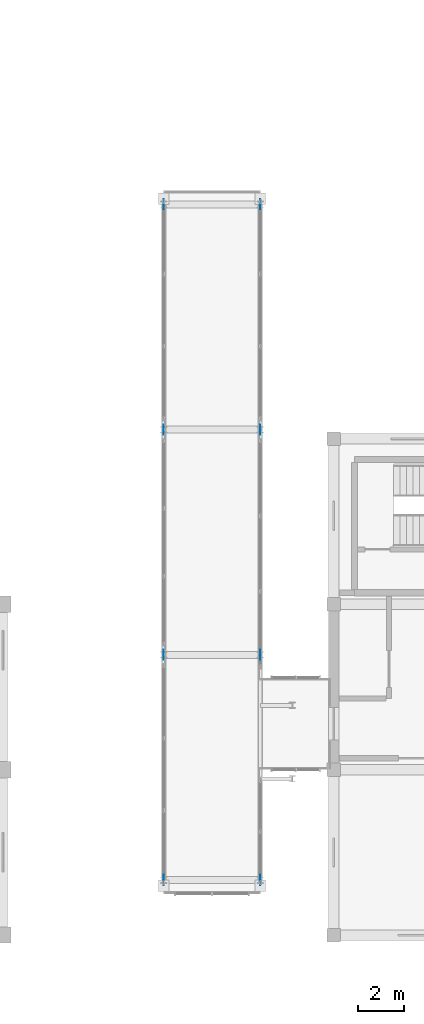
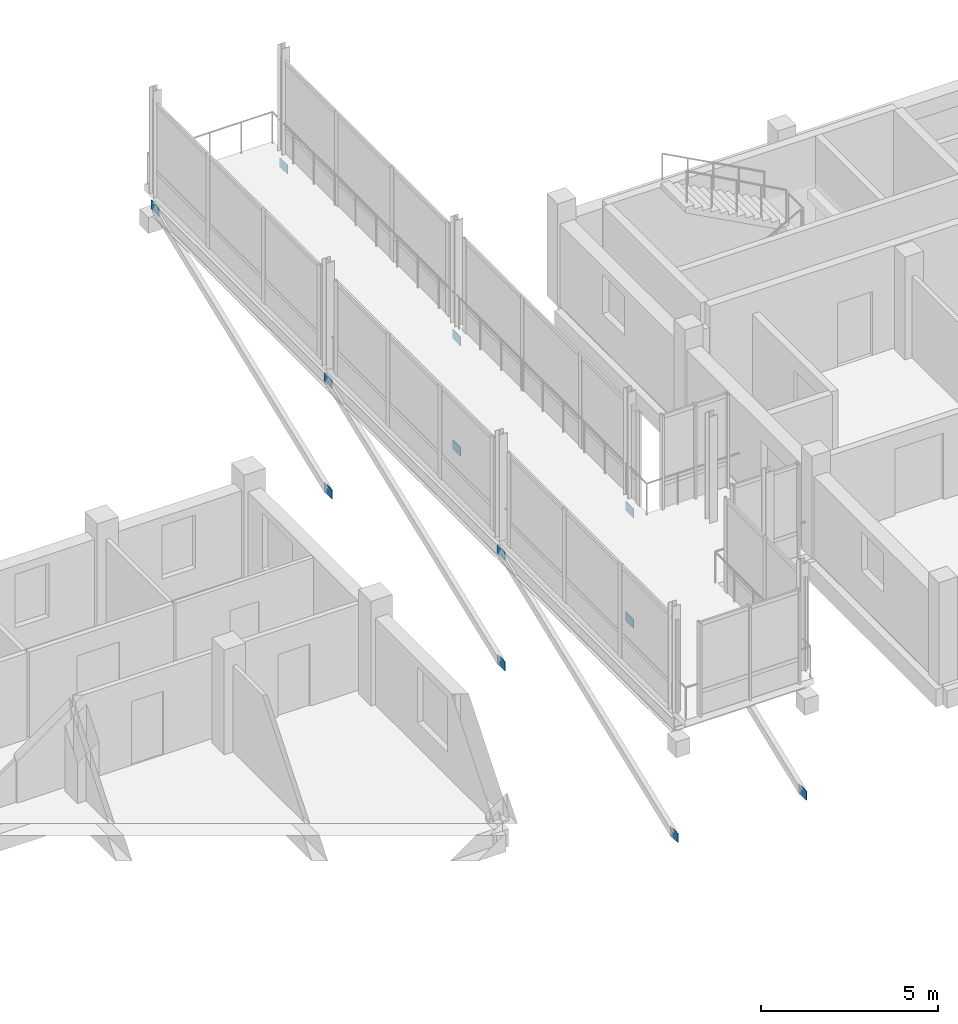
# One storey, part 105 of 128: 12 plates.
"""IFC4 building model written with IfcOpenShell, lengths in metres."""

from ifc_helpers import new_model, si_unit, direction, frame, origin, origin_2d, place, context, subcontext, project, spatial, rectangle, extrude, material, layer, layer_set, type_object, element, save


model = new_model("IFC4")

# Units and contexts
model_context = context("Model", 3, precision=1e-05, world=origin(), true_north=direction((0.0, 1.0)))
body_context = subcontext(model_context, "Body", "Model", "MODEL_VIEW")
ifc_project = project(units=[si_unit("LENGTHUNIT", "METRE"), si_unit("AREAUNIT", "SQUARE_METRE"), si_unit("VOLUMEUNIT", "CUBIC_METRE"), si_unit("PLANEANGLEUNIT", "RADIAN"), si_unit("MASSUNIT", "GRAM", prefix="KILO")], contexts=[model_context])

# Site, building, storey
site_placement = place(None, origin())
site = spatial("IfcSite", under=ifc_project, at=site_placement, CompositionType="ELEMENT")
building_placement = place(site_placement, origin())
building = spatial("IfcBuilding", under=site, at=building_placement, Name="Zornivar Specialist Clinic", CompositionType="ELEMENT")
storey_placement = place(building_placement, frame((0.0, 0.0, 4.5)))
storey = spatial("IfcBuildingStorey", under=building, at=storey_placement, Name="L01", CompositionType="ELEMENT", Elevation=4.5)

# Plates
ifc_material = material(Name="Steel S355J2", Category="steel")
ifc_layer = layer(ifc_material, 0.01806640625)
ifc_layer_set = layer_set([ifc_layer], Name="Steel S355J2")
plate_type = type_object("IfcPlateType", Name="PL-GUSSET-V4-18", PredefinedType="USERDEFINED", material=ifc_layer_set)
for number, where, z_axis, x_axis, name in (
    (1, (50.199951171875, 2.39990234375, -4.4599609375), (0.0, 0.0, 1.0), (0.0, 1.0, 0.0), "plate:bnode:L01:014"),
    (2, (50.199951171875, 12.199951171875, -0.64013671875), (0.0, 0.0, 1.0), (0.0, 1.0, 0.0), "plate:bnode:L01:015"),
    (3, (54.39990234375, 2.39990234375, -4.4599609375), (0.0, 0.0, 1.0), (0.0, 1.0, 0.0), "plate:bnode:L01:016"),
    (4, (54.39990234375, 12.199951171875, -0.64013671875), (0.0, 0.0, 1.0), (0.0, 1.0, 0.0), "plate:bnode:L01:017"),
    (5, (50.199951171875, 12.199951171875, -4.4599609375), (0.0, 0.0, 1.0), (0.0, 1.0, 0.0), "plate:bnode:L01:018"),
    (6, (50.199951171875, 22.0, -0.64013671875), (0.0, 0.0, 1.0), (0.0, 1.0, 0.0), "plate:bnode:L01:019"),
    (7, (54.39990234375, 12.199951171875, -4.4599609375), (0.0, 0.0, 1.0), (0.0, 1.0, 0.0), "plate:bnode:L01:020"),
    (8, (54.39990234375, 22.0, -0.64013671875), (0.0, 0.0, 1.0), (0.0, 1.0, 0.0), "plate:bnode:L01:021"),
    (9, (50.199951171875, 22.0, -4.4599609375), (0.0, 0.0, 1.0), (0.0, 1.0, 0.0), "plate:bnode:L01:022"),
    (10, (50.199951171875, 31.800048828125, -0.64013671875), (0.0, 0.0, 1.0), (0.0, 1.0, 0.0), "plate:bnode:L01:023"),
    (11, (54.39990234375, 22.0, -4.4599609375), (0.0, 0.0, 1.0), (0.0, 1.0, 0.0), "plate:bnode:L01:024"),
    (12, (54.39990234375, 31.800048828125, -0.64013671875), (0.0, 0.0, 1.0), (0.0, 1.0, 0.0), "plate:bnode:L01:025"),
):
    element("IfcPlate", number, at=place(storey_placement, frame(where, z_axis=z_axis, x_axis=x_axis)), inside=storey, type_object=plate_type, Name=name, ObjectType="GUSSET PLATE", PredefinedType="USERDEFINED", context=body_context, shape_type="SweptSolid", body=[
        extrude(rectangle(XDim=0.43994140625, YDim=0.01806640625, at=origin_2d()), origin(), (0.0, 0.0, 1.0), 0.320068359375),
    ])

save(model, "model.ifc")
